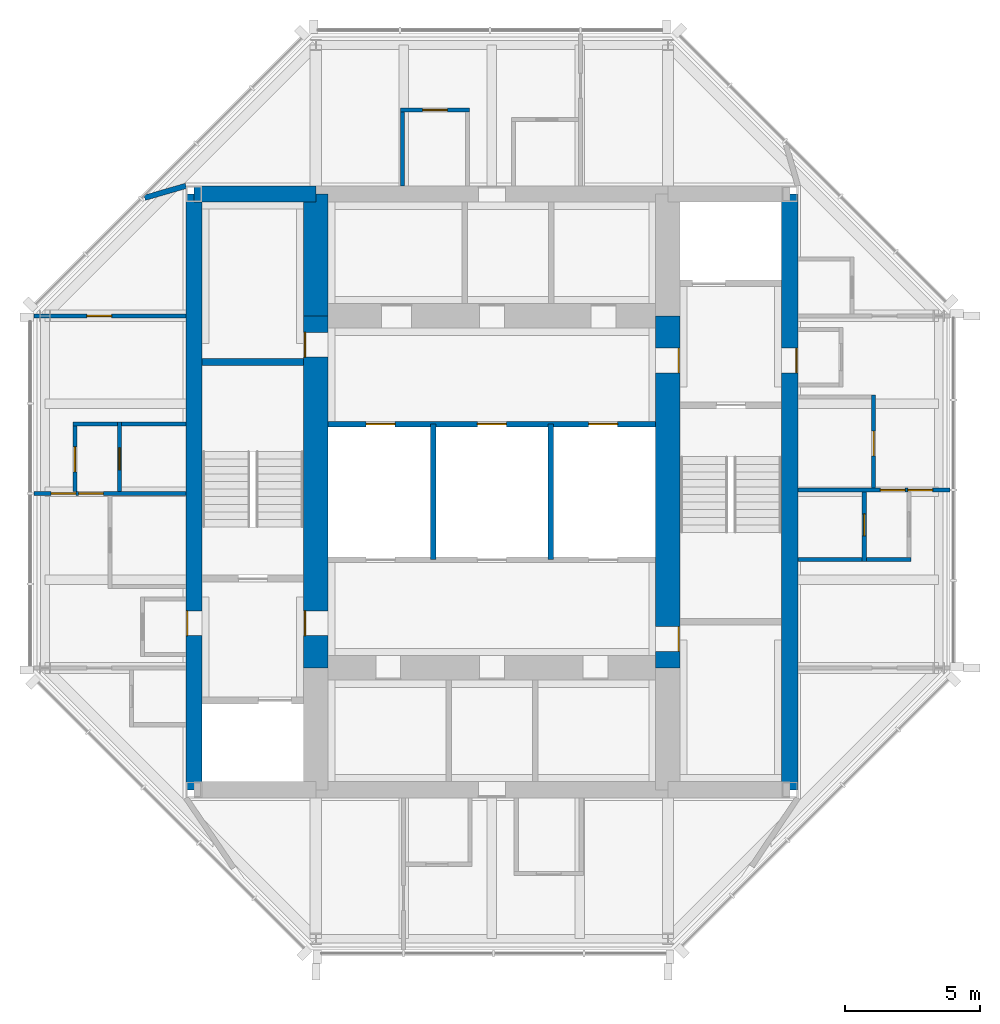
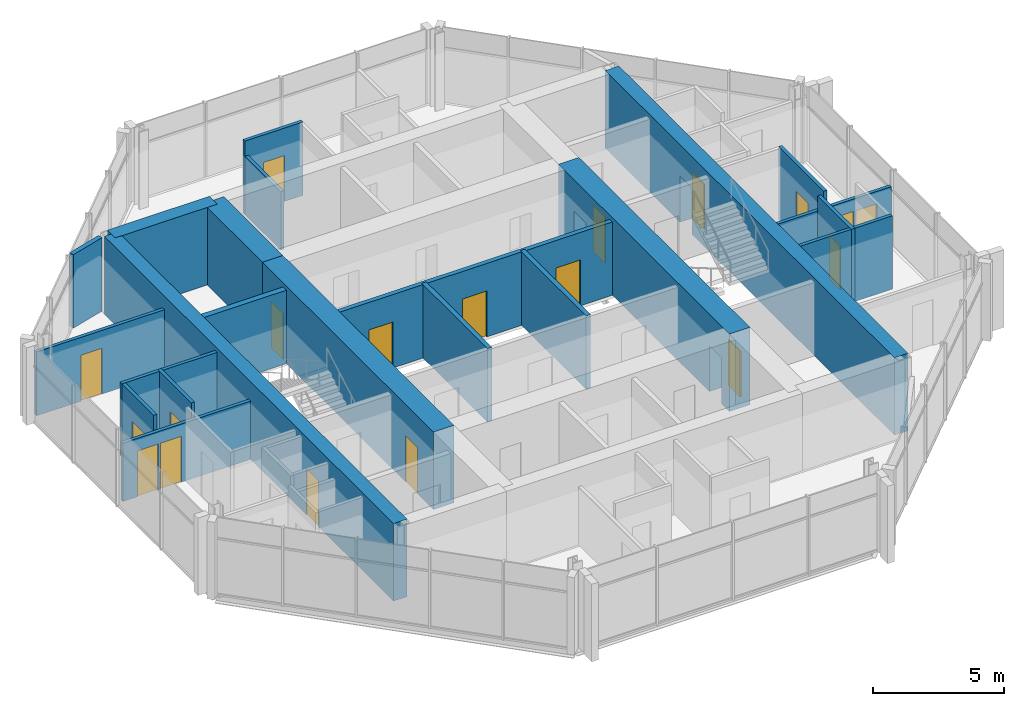
# One storey, part 6 of 9: 24 walls, 19 doors, 19 openings.
"""IFC4 building model written with IfcOpenShell, lengths in metres."""

from ifc_helpers import new_model, si_unit, direction, frame, frame_2d, origin, place, context, subcontext, project, spatial, rectangle, extrude, material, layer, layer_set, type_object, element, fill, save


model = new_model("IFC4")

# Units and contexts
model_context = context("Model", 3, precision=1e-05, world=origin(), true_north=direction((0.0, 1.0)))
body_context = subcontext(model_context, "Body", "Model", "MODEL_VIEW")
ifc_project = project(units=[si_unit("LENGTHUNIT", "METRE"), si_unit("AREAUNIT", "SQUARE_METRE"), si_unit("VOLUMEUNIT", "CUBIC_METRE"), si_unit("PLANEANGLEUNIT", "RADIAN"), si_unit("MASSUNIT", "GRAM", prefix="KILO")], contexts=[model_context])

# Site, building, storey
site_placement = place(None, origin())
site = spatial("IfcSite", under=ifc_project, at=site_placement, CompositionType="ELEMENT")
building_placement = place(site_placement, origin())
building = spatial("IfcBuilding", under=site, at=building_placement, Name="Trevanion Tower", CompositionType="ELEMENT")
storey_placement = place(building_placement, frame((0.0, 0.0, 281.199951171875)))
storey = spatial("IfcBuildingStorey", under=building, at=storey_placement, Name="L69", CompositionType="ELEMENT", Elevation=281.199951171875)

# Wall, opening, door
ifc_material_1 = material(Name="Concrete 10,000 psi", Category="concrete")
ifc_layer_1 = layer(ifc_material_1, 0.60009765625)
ifc_layer_set_1 = layer_set([ifc_layer_1], Name="CW1 core wall 600")
wall_type_1 = type_object("IfcWallType", Name="CW1 core wall 600", PredefinedType="SHEAR", material=ifc_layer_set_1)
wall_1_placement = place(storey_placement, frame((11.0, -11.0, 0.0), z_axis=(0.0, 0.0, 1.0), x_axis=(0.0, 1.0, 0.0)))
wall_1 = element("IfcWall", 1, at=wall_1_placement, inside=storey, type_object=wall_type_1, Name="CW1 CE L69", PredefinedType="SHEAR", context=body_context, shape_type="SweptSolid", body=[
    extrude(rectangle(XDim=22.0, YDim=0.60009765625, at=frame_2d((11.0, 0.0))), origin(), (0.0, 0.0, 1.0), 3.60009765625),
])
opening_1_placement = place(wall_1_placement, frame((15.392578125, 0.0, 0.0)))
opening_1 = element("IfcOpeningElement", 2, at=opening_1_placement, cuts=wall_1, Name="Opening 69-001", PredefinedType="OPENING", context=body_context, shape_type="SweptSolid", body=[
    extrude(rectangle(XDim=0.9150390625, YDim=2.134033203125, at=frame_2d((0.45751953125, 1.06689453125))), frame((0.0, 0.31005859375, 0.0), z_axis=(0.0, -1.0, 0.0), x_axis=(1.0, 0.0, 0.0)), (0.0, 0.0, 1.0), 0.6201171875),
])
ifc_material_2 = material(Name="Hollow metal, fire rated", Category="steel")
door_type_1 = type_object("IfcDoorType", Name="D3 fire lift lobby door", OperationType="SINGLE_SWING_RIGHT", PredefinedType="DOOR", material=ifc_material_2)
door_1_placement = place(opening_1_placement, origin())
door_1 = element("IfcDoor", 3, at=door_1_placement, inside=storey, type_object=door_type_1, Name="Door 69-001", OperationType="SINGLE_SWING_RIGHT", OverallHeight=2.134033203125, OverallWidth=0.9150390625, PredefinedType="DOOR", context=body_context, shape_type="SweptSolid", body=[
    extrude(rectangle(XDim=0.9150390625, YDim=2.134033203125, at=frame_2d((0.45751953125, 1.06689453125))), frame((0.0, -0.22509765625, 0.0), z_axis=(0.0, -1.0, 0.0), x_axis=(1.0, 0.0, 0.0)), (0.0, 0.0, 1.0), 0.050048828125),
])
fill(opening_1, door_1)

wall_2_placement = place(storey_placement, frame((-11.0, 11.0, 0.0), z_axis=(0.0, 0.0, 1.0), x_axis=(0.0, -1.0, 0.0)))
wall_2 = element("IfcWall", 4, at=wall_2_placement, inside=storey, type_object=wall_type_1, Name="CW1 CW L69", PredefinedType="SHEAR", context=body_context, shape_type="SweptSolid", body=[
    extrude(rectangle(XDim=22.0, YDim=0.60009765625, at=frame_2d((11.0, 0.0))), origin(), (0.0, 0.0, 1.0), 3.60009765625),
])
opening_2_placement = place(wall_2_placement, frame((15.392578125, 0.0, 0.0)))
opening_2 = element("IfcOpeningElement", 5, at=opening_2_placement, cuts=wall_2, Name="Opening 69-002", PredefinedType="OPENING", context=body_context, shape_type="SweptSolid", body=[
    extrude(rectangle(XDim=0.9150390625, YDim=2.134033203125, at=frame_2d((0.45751953125, 1.06689453125))), frame((0.0, 0.31005859375, 0.0), z_axis=(0.0, -1.0, 0.0), x_axis=(1.0, 0.0, 0.0)), (0.0, 0.0, 1.0), 0.6201171875),
])
door_2_placement = place(opening_2_placement, origin())
door_2 = element("IfcDoor", 6, at=door_2_placement, inside=storey, type_object=door_type_1, Name="Door 69-002", OperationType="SINGLE_SWING_RIGHT", OverallHeight=2.134033203125, OverallWidth=0.9150390625, PredefinedType="DOOR", context=body_context, shape_type="SweptSolid", body=[
    extrude(rectangle(XDim=0.9150390625, YDim=2.134033203125, at=frame_2d((0.45751953125, 1.06689453125))), frame((0.0, -0.22509765625, 0.0), z_axis=(0.0, -1.0, 0.0), x_axis=(1.0, 0.0, 0.0)), (0.0, 0.0, 1.0), 0.050048828125),
])
fill(opening_2, door_2)

# Wall
wall_3_placement = place(storey_placement, frame((-6.5, 11.0, 0.0), z_axis=(0.0, 0.0, 1.0), x_axis=(-1.0, 0.0, 0.0)))
element("IfcWall", 7, at=wall_3_placement, inside=storey, type_object=wall_type_1, Name="CW1 CN3 L69", PredefinedType="SHEAR", context=body_context, shape_type="SweptSolid", body=[
    extrude(rectangle(XDim=4.5, YDim=0.60009765625, at=frame_2d((2.25, 0.0))), origin(), (0.0, 0.0, 1.0), 3.60009765625),
])

# Wall, openings, doors
ifc_material_3 = material(Name="Concrete 10,000 psi", Category="concrete")
ifc_layer_2 = layer(ifc_material_3, 0.89990234375)
ifc_layer_set_2 = layer_set([ifc_layer_2], Name="CW2 core wall 900")
wall_type_2 = type_object("IfcWallType", Name="CW2 core wall 900", PredefinedType="SHEAR", material=ifc_layer_set_2)
wall_4_placement = place(storey_placement, frame((6.5, -6.5, 0.0), z_axis=(0.0, 0.0, 1.0), x_axis=(0.0, 1.0, 0.0)))
wall_4 = element("IfcWall", 8, at=wall_4_placement, inside=storey, type_object=wall_type_2, Name="CW2 RE2 L69", PredefinedType="SHEAR", context=body_context, shape_type="SweptSolid", body=[
    extrude(rectangle(XDim=13.0, YDim=0.89990234375, at=frame_2d((6.5, 0.0))), origin(), (0.0, 0.0, 1.0), 3.60009765625),
])
opening_3_placement = place(wall_4_placement, frame((10.892578125, 0.0, 0.0)))
opening_3 = element("IfcOpeningElement", 9, at=opening_3_placement, cuts=wall_4, Name="Opening 69-003", PredefinedType="OPENING", context=body_context, shape_type="SweptSolid", body=[
    extrude(rectangle(XDim=0.9150390625, YDim=2.134033203125, at=frame_2d((0.45751953125, 1.06689453125))), frame((0.0, 0.4599609375, 0.0), z_axis=(0.0, -1.0, 0.0), x_axis=(1.0, 0.0, 0.0)), (0.0, 0.0, 1.0), 0.919921875),
])
opening_4_placement = place(wall_4_placement, frame((0.610107421875, 0.0, 0.0)))
opening_4 = element("IfcOpeningElement", 10, at=opening_4_placement, cuts=wall_4, Name="Opening 69-009", PredefinedType="OPENING", context=body_context, shape_type="SweptSolid", body=[
    extrude(rectangle(XDim=0.9150390625, YDim=2.134033203125, at=frame_2d((0.45751953125, 1.06689453125))), frame((0.0, 0.4599609375, 0.0), z_axis=(0.0, -1.0, 0.0), x_axis=(1.0, 0.0, 0.0)), (0.0, 0.0, 1.0), 0.919921875),
])
door_3_placement = place(opening_3_placement, origin())
door_3 = element("IfcDoor", 11, at=door_3_placement, inside=storey, type_object=door_type_1, Name="Door 69-003", OperationType="SINGLE_SWING_RIGHT", OverallHeight=2.134033203125, OverallWidth=0.9150390625, PredefinedType="DOOR", context=body_context, shape_type="SweptSolid", body=[
    extrude(rectangle(XDim=0.9150390625, YDim=2.134033203125, at=frame_2d((0.45751953125, 1.06689453125))), frame((0.0, -0.375, 0.0), z_axis=(0.0, -1.0, 0.0), x_axis=(1.0, 0.0, 0.0)), (0.0, 0.0, 1.0), 0.050048828125),
])
fill(opening_3, door_3)
ifc_material_4 = material(Name="Hollow metal, fire rated", Category="steel")
door_type_2 = type_object("IfcDoorType", Name="D5 service room door", OperationType="SINGLE_SWING_RIGHT", PredefinedType="DOOR", material=ifc_material_4)
door_4_placement = place(opening_4_placement, origin())
door_4 = element("IfcDoor", 12, at=door_4_placement, inside=storey, type_object=door_type_2, Name="Door 69-009", OperationType="SINGLE_SWING_RIGHT", OverallHeight=2.134033203125, OverallWidth=0.9150390625, PredefinedType="DOOR", context=body_context, shape_type="SweptSolid", body=[
    extrude(rectangle(XDim=0.9150390625, YDim=2.134033203125, at=frame_2d((0.45751953125, 1.06689453125))), frame((0.0, -0.375, 0.0), z_axis=(0.0, -1.0, 0.0), x_axis=(1.0, 0.0, 0.0)), (0.0, 0.0, 1.0), 0.050048828125),
])
fill(opening_4, door_4)

# Wall
wall_5_placement = place(storey_placement, frame((-6.5, 11.0, 0.0), z_axis=(0.0, 0.0, 1.0), x_axis=(0.0, -1.0, 0.0)))
element("IfcWall", 13, at=wall_5_placement, inside=storey, type_object=wall_type_2, Name="CW2 RW1 L69", PredefinedType="SHEAR", context=body_context, shape_type="SweptSolid", body=[
    extrude(rectangle(XDim=4.5, YDim=0.89990234375, at=frame_2d((2.25, 0.0))), origin(), (0.0, 0.0, 1.0), 3.60009765625),
])

# Wall, openings, doors
wall_6_placement = place(storey_placement, frame((-6.5, 6.5, 0.0), z_axis=(0.0, 0.0, 1.0), x_axis=(0.0, -1.0, 0.0)))
wall_6 = element("IfcWall", 14, at=wall_6_placement, inside=storey, type_object=wall_type_2, Name="CW2 RW2 L69", PredefinedType="SHEAR", context=body_context, shape_type="SweptSolid", body=[
    extrude(rectangle(XDim=13.0, YDim=0.89990234375, at=frame_2d((6.5, 0.0))), origin(), (0.0, 0.0, 1.0), 3.60009765625),
])
opening_5_placement = place(wall_6_placement, frame((10.892578125, 0.0, 0.0)))
opening_5 = element("IfcOpeningElement", 15, at=opening_5_placement, cuts=wall_6, Name="Opening 69-004", PredefinedType="OPENING", context=body_context, shape_type="SweptSolid", body=[
    extrude(rectangle(XDim=0.9150390625, YDim=2.134033203125, at=frame_2d((0.45751953125, 1.06689453125))), frame((0.0, 0.4599609375, 0.0), z_axis=(0.0, -1.0, 0.0), x_axis=(1.0, 0.0, 0.0)), (0.0, 0.0, 1.0), 0.919921875),
])
opening_6_placement = place(wall_6_placement, frame((0.610107421875, 0.0, 0.0)))
opening_6 = element("IfcOpeningElement", 16, at=opening_6_placement, cuts=wall_6, Name="Opening 69-010", PredefinedType="OPENING", context=body_context, shape_type="SweptSolid", body=[
    extrude(rectangle(XDim=0.9150390625, YDim=2.134033203125, at=frame_2d((0.45751953125, 1.06689453125))), frame((0.0, 0.4599609375, 0.0), z_axis=(0.0, -1.0, 0.0), x_axis=(1.0, 0.0, 0.0)), (0.0, 0.0, 1.0), 0.919921875),
])
door_5_placement = place(opening_5_placement, origin())
door_5 = element("IfcDoor", 17, at=door_5_placement, inside=storey, type_object=door_type_1, Name="Door 69-004", OperationType="SINGLE_SWING_RIGHT", OverallHeight=2.134033203125, OverallWidth=0.9150390625, PredefinedType="DOOR", context=body_context, shape_type="SweptSolid", body=[
    extrude(rectangle(XDim=0.9150390625, YDim=2.134033203125, at=frame_2d((0.45751953125, 1.06689453125))), frame((0.0, -0.375, 0.0), z_axis=(0.0, -1.0, 0.0), x_axis=(1.0, 0.0, 0.0)), (0.0, 0.0, 1.0), 0.050048828125),
])
fill(opening_5, door_5)
door_6_placement = place(opening_6_placement, origin())
door_6 = element("IfcDoor", 18, at=door_6_placement, inside=storey, type_object=door_type_2, Name="Door 69-010", OperationType="SINGLE_SWING_RIGHT", OverallHeight=2.134033203125, OverallWidth=0.9150390625, PredefinedType="DOOR", context=body_context, shape_type="SweptSolid", body=[
    extrude(rectangle(XDim=0.9150390625, YDim=2.134033203125, at=frame_2d((0.45751953125, 1.06689453125))), frame((0.0, -0.375, 0.0), z_axis=(0.0, -1.0, 0.0), x_axis=(1.0, 0.0, 0.0)), (0.0, 0.0, 1.0), 0.050048828125),
])
fill(opening_6, door_6)

ifc_material_5 = material(Name="Gypsum board on steel studs", Category="steel")
ifc_layer_3 = layer(ifc_material_5, 0.14990234375)
ifc_layer_set_3 = layer_set([ifc_layer_3], Name="PT1 partition 150")
wall_type_3 = type_object("IfcWallType", Name="PT1 partition 150", PredefinedType="PARTITIONING", material=ifc_layer_set_3)
wall_7_placement = place(storey_placement, frame((11.300048828125, 0.06494140625, 0.0), z_axis=(0.0, 0.0, 1.0), x_axis=(1.0, 0.0, 0.0)))
wall_7 = element("IfcWall", 19, at=wall_7_placement, inside=storey, type_object=wall_type_3, Name="PT1 L69 REC1", PredefinedType="PARTITIONING", context=body_context, shape_type="SweptSolid", body=[
    extrude(rectangle(XDim=5.614990234375, YDim=0.14990234375, at=frame_2d((2.8076171875, 0.0))), origin(), (0.0, 0.0, 1.0), 2.708984375),
])
opening_7_placement = place(wall_7_placement, frame((3.04248046875, 0.0, 0.0)))
opening_7 = element("IfcOpeningElement", 20, at=opening_7_placement, cuts=wall_7, Name="Opening 69-029", PredefinedType="OPENING", context=body_context, shape_type="SweptSolid", body=[
    extrude(rectangle(XDim=0.9150390625, YDim=2.134033203125, at=frame_2d((0.45751953125, 1.06689453125))), frame((0.0, 0.0849609375, 0.0), z_axis=(0.0, -1.0, 0.0), x_axis=(1.0, 0.0, 0.0)), (0.0, 0.0, 1.0), 0.169921875),
])
opening_8_placement = place(wall_7_placement, frame((4.0576171875, 0.0, 0.0)))
opening_8 = element("IfcOpeningElement", 21, at=opening_8_placement, cuts=wall_7, Name="Opening 69-032", PredefinedType="OPENING", context=body_context, shape_type="SweptSolid", body=[
    extrude(rectangle(XDim=0.9150390625, YDim=2.134033203125, at=frame_2d((0.45751953125, 1.06689453125))), frame((0.0, 0.0849609375, 0.0), z_axis=(0.0, -1.0, 0.0), x_axis=(1.0, 0.0, 0.0)), (0.0, 0.0, 1.0), 0.169921875),
])
ifc_material_6 = material(Name="Timber veneer, solid core", Category="wood")
door_type_3 = type_object("IfcDoorType", Name="D1 office and meeting room door", OperationType="SINGLE_SWING_LEFT", PredefinedType="DOOR", material=ifc_material_6)
door_7_placement = place(opening_7_placement, origin())
door_7 = element("IfcDoor", 22, at=door_7_placement, inside=storey, type_object=door_type_3, Name="Door 69-029", OperationType="SINGLE_SWING_LEFT", OverallHeight=2.134033203125, OverallWidth=0.9150390625, PredefinedType="DOOR", context=body_context, shape_type="SweptSolid", body=[
    extrude(rectangle(XDim=0.9150390625, YDim=2.134033203125, at=frame_2d((0.45751953125, 1.06689453125))), frame((0.0, 0.02490234375, 0.0), z_axis=(0.0, -1.0, 0.0), x_axis=(1.0, 0.0, 0.0)), (0.0, 0.0, 1.0), 0.050048828125),
])
fill(opening_7, door_7)
door_8_placement = place(opening_8_placement, origin())
door_8 = element("IfcDoor", 23, at=door_8_placement, inside=storey, type_object=door_type_3, Name="Door 69-032", OperationType="SINGLE_SWING_LEFT", OverallHeight=2.134033203125, OverallWidth=0.9150390625, PredefinedType="DOOR", context=body_context, shape_type="SweptSolid", body=[
    extrude(rectangle(XDim=0.9150390625, YDim=2.134033203125, at=frame_2d((0.45751953125, 1.06689453125))), frame((0.0, 0.02490234375, 0.0), z_axis=(0.0, -1.0, 0.0), x_axis=(1.0, 0.0, 0.0)), (0.0, 0.0, 1.0), 0.050048828125),
])
fill(opening_8, door_8)

# Wall, opening, door
wall_8_placement = place(storey_placement, frame((14.10009765625, 0.139892578125, 0.0), z_axis=(0.0, 0.0, 1.0), x_axis=(0.0, 1.0, 0.0)))
wall_8 = element("IfcWall", 24, at=wall_8_placement, inside=storey, type_object=wall_type_3, Name="PT1 L69 REKF", PredefinedType="PARTITIONING", context=body_context, shape_type="SweptSolid", body=[
    extrude(rectangle(XDim=3.43505859375, YDim=0.14990234375, at=frame_2d((1.717529296875, 0.0))), origin(), (0.0, 0.0, 1.0), 3.41015625),
])
opening_9_placement = place(wall_8_placement, frame((1.18505859375, 0.0, 0.0)))
opening_9 = element("IfcOpeningElement", 25, at=opening_9_placement, cuts=wall_8, Name="Opening 69-026", PredefinedType="OPENING", context=body_context, shape_type="SweptSolid", body=[
    extrude(rectangle(XDim=0.9150390625, YDim=2.134033203125, at=frame_2d((0.45751953125, 1.06689453125))), frame((0.0, 0.0849609375, 0.0), z_axis=(0.0, -1.0, 0.0), x_axis=(1.0, 0.0, 0.0)), (0.0, 0.0, 1.0), 0.169921875),
])
door_9_placement = place(opening_9_placement, origin())
door_9 = element("IfcDoor", 26, at=door_9_placement, inside=storey, type_object=door_type_3, Name="Door 69-026", OperationType="SINGLE_SWING_LEFT", OverallHeight=2.134033203125, OverallWidth=0.9150390625, PredefinedType="DOOR", context=body_context, shape_type="SweptSolid", body=[
    extrude(rectangle(XDim=0.9150390625, YDim=2.134033203125, at=frame_2d((0.45751953125, 1.06689453125))), frame((0.0, 0.02490234375, 0.0), z_axis=(0.0, -1.0, 0.0), x_axis=(1.0, 0.0, 0.0)), (0.0, 0.0, 1.0), 0.050048828125),
])
fill(opening_9, door_9)

wall_9_placement = place(storey_placement, frame((13.75, -2.574951171875, 0.0), z_axis=(0.0, 0.0, 1.0), x_axis=(0.0, 1.0, 0.0)))
wall_9 = element("IfcWall", 27, at=wall_9_placement, inside=storey, type_object=wall_type_3, Name="PT1 L69 RETF", PredefinedType="PARTITIONING", context=body_context, shape_type="SweptSolid", body=[
    extrude(rectangle(XDim=2.56494140625, YDim=0.14990234375, at=frame_2d((1.282470703125, 0.0))), origin(), (0.0, 0.0, 1.0), 3.41015625),
])
opening_10_placement = place(wall_9_placement, frame((0.950927734375, 0.0, 0.0)))
opening_10 = element("IfcOpeningElement", 28, at=opening_10_placement, cuts=wall_9, Name="Opening 69-028", PredefinedType="OPENING", context=body_context, shape_type="SweptSolid", body=[
    extrude(rectangle(XDim=0.81298828125, YDim=2.031982421875, at=frame_2d((0.406494140625, 1.01611328125))), frame((0.0, 0.0849609375, 0.0), z_axis=(0.0, -1.0, 0.0), x_axis=(1.0, 0.0, 0.0)), (0.0, 0.0, 1.0), 0.169921875),
])
ifc_material_7 = material(Name="Timber veneer", Category="wood")
door_type_4 = type_object("IfcDoorType", Name="D14 residence bathroom door", OperationType="SINGLE_SWING_LEFT", PredefinedType="DOOR", material=ifc_material_7)
door_10_placement = place(opening_10_placement, origin())
door_10 = element("IfcDoor", 29, at=door_10_placement, inside=storey, type_object=door_type_4, Name="Door 69-028", OperationType="SINGLE_SWING_LEFT", OverallHeight=2.031982421875, OverallWidth=0.81298828125, PredefinedType="DOOR", context=body_context, shape_type="SweptSolid", body=[
    extrude(rectangle(XDim=0.81298828125, YDim=2.031982421875, at=frame_2d((0.406494140625, 1.01611328125))), frame((0.0, 0.02490234375, 0.0), z_axis=(0.0, -1.0, 0.0), x_axis=(1.0, 0.0, 0.0)), (0.0, 0.0, 1.0), 0.050048828125),
])
fill(opening_10, door_10)

# Walls
wall_10_placement = place(storey_placement, frame((11.300048828125, -2.5, 0.0), z_axis=(0.0, 0.0, 1.0), x_axis=(1.0, 0.0, 0.0)))
element("IfcWall", 30, at=wall_10_placement, inside=storey, type_object=wall_type_3, Name="PT1 L69 RETA", PredefinedType="PARTITIONING", context=body_context, shape_type="SweptSolid", body=[
    extrude(rectangle(XDim=2.375, YDim=0.14990234375, at=frame_2d((1.1875, 0.0))), origin(), (0.0, 0.0, 1.0), 3.41015625),
])
wall_11_placement = place(storey_placement, frame((13.824951171875, -2.5, 0.0), z_axis=(0.0, 0.0, 1.0), x_axis=(1.0, 0.0, 0.0)))
element("IfcWall", 31, at=wall_11_placement, inside=storey, type_object=wall_type_3, Name="PT1 L69 REHY", PredefinedType="PARTITIONING", context=body_context, shape_type="SweptSolid", body=[
    extrude(rectangle(XDim=1.650146484375, YDim=0.14990234375, at=frame_2d((0.8251953125, 0.0))), origin(), (0.0, 0.0, 1.0), 3.41015625),
])

# Wall, opening, door
wall_12_placement = place(storey_placement, frame((-0.824951171875, 14.10009765625, 0.0), z_axis=(0.0, 0.0, 1.0), x_axis=(-1.0, 0.0, 0.0)))
wall_12 = element("IfcWall", 32, at=wall_12_placement, inside=storey, type_object=wall_type_3, Name="PT1 L69 RNKF", PredefinedType="PARTITIONING", context=body_context, shape_type="SweptSolid", body=[
    extrude(rectangle(XDim=2.550048828125, YDim=0.14990234375, at=frame_2d((1.27490234375, 0.0))), origin(), (0.0, 0.0, 1.0), 3.41015625),
])
opening_11_placement = place(wall_12_placement, frame((0.8173828125, 0.0, 0.0)))
opening_11 = element("IfcOpeningElement", 33, at=opening_11_placement, cuts=wall_12, Name="Opening 69-034", PredefinedType="OPENING", context=body_context, shape_type="SweptSolid", body=[
    extrude(rectangle(XDim=0.9150390625, YDim=2.134033203125, at=frame_2d((0.45751953125, 1.06689453125))), frame((0.0, 0.0849609375, 0.0), z_axis=(0.0, -1.0, 0.0), x_axis=(1.0, 0.0, 0.0)), (0.0, 0.0, 1.0), 0.169921875),
])
door_11_placement = place(opening_11_placement, origin())
door_11 = element("IfcDoor", 34, at=door_11_placement, inside=storey, type_object=door_type_3, Name="Door 69-034", OperationType="SINGLE_SWING_LEFT", OverallHeight=2.134033203125, OverallWidth=0.9150390625, PredefinedType="DOOR", context=body_context, shape_type="SweptSolid", body=[
    extrude(rectangle(XDim=0.9150390625, YDim=2.134033203125, at=frame_2d((0.45751953125, 1.06689453125))), frame((0.0, 0.02490234375, 0.0), z_axis=(0.0, -1.0, 0.0), x_axis=(1.0, 0.0, 0.0)), (0.0, 0.0, 1.0), 0.050048828125),
])
fill(opening_11, door_11)

# Wall
wall_13_placement = place(storey_placement, frame((-3.300048828125, 11.300048828125, 0.0), z_axis=(0.0, 0.0, 1.0), x_axis=(0.0, 1.0, 0.0)))
element("IfcWall", 35, at=wall_13_placement, inside=storey, type_object=wall_type_3, Name="PT1 L69 RNKB", PredefinedType="PARTITIONING", context=body_context, shape_type="SweptSolid", body=[
    extrude(rectangle(XDim=2.724853515625, YDim=0.14990234375, at=frame_2d((1.3623046875, 0.0))), origin(), (0.0, 0.0, 1.0), 2.708984375),
])

# Wall, opening, door
wall_14_placement = place(storey_placement, frame((-11.300048828125, 6.5, 0.0), z_axis=(0.0, 0.0, 1.0), x_axis=(-1.0, 0.0, 0.0)))
wall_14 = element("IfcWall", 36, at=wall_14_placement, inside=storey, type_object=wall_type_3, Name="PT1 L69 RWC0", PredefinedType="PARTITIONING", context=body_context, shape_type="SweptSolid", body=[
    extrude(rectangle(XDim=5.614990234375, YDim=0.14990234375, at=frame_2d((2.8076171875, 0.0))), origin(), (0.0, 0.0, 1.0), 2.965576171875),
])
opening_12_placement = place(wall_14_placement, frame((2.742431640625, 0.0, 0.0)))
opening_12 = element("IfcOpeningElement", 37, at=opening_12_placement, cuts=wall_14, Name="Opening 69-043", PredefinedType="OPENING", context=body_context, shape_type="SweptSolid", body=[
    extrude(rectangle(XDim=0.9150390625, YDim=2.134033203125, at=frame_2d((0.45751953125, 1.06689453125))), frame((0.0, 0.0849609375, 0.0), z_axis=(0.0, -1.0, 0.0), x_axis=(1.0, 0.0, 0.0)), (0.0, 0.0, 1.0), 0.169921875),
])
door_12_placement = place(opening_12_placement, origin())
door_12 = element("IfcDoor", 38, at=door_12_placement, inside=storey, type_object=door_type_3, Name="Door 69-043", OperationType="SINGLE_SWING_LEFT", OverallHeight=2.134033203125, OverallWidth=0.9150390625, PredefinedType="DOOR", context=body_context, shape_type="SweptSolid", body=[
    extrude(rectangle(XDim=0.9150390625, YDim=2.134033203125, at=frame_2d((0.45751953125, 1.06689453125))), frame((0.0, 0.02490234375, 0.0), z_axis=(0.0, -1.0, 0.0), x_axis=(1.0, 0.0, 0.0)), (0.0, 0.0, 1.0), 0.050048828125),
])
fill(opening_12, door_12)

# Wall, openings, doors
wall_15_placement = place(storey_placement, frame((-11.300048828125, -0.06494140625, 0.0), z_axis=(0.0, 0.0, 1.0), x_axis=(-1.0, 0.0, 0.0)))
wall_15 = element("IfcWall", 39, at=wall_15_placement, inside=storey, type_object=wall_type_3, Name="PT1 L69 RWC1", PredefinedType="PARTITIONING", context=body_context, shape_type="SweptSolid", body=[
    extrude(rectangle(XDim=5.614990234375, YDim=0.14990234375, at=frame_2d((2.8076171875, 0.0))), origin(), (0.0, 0.0, 1.0), 2.708984375),
])
opening_13_placement = place(wall_15_placement, frame((3.04248046875, 0.0, 0.0)))
opening_13 = element("IfcOpeningElement", 40, at=opening_13_placement, cuts=wall_15, Name="Opening 69-041", PredefinedType="OPENING", context=body_context, shape_type="SweptSolid", body=[
    extrude(rectangle(XDim=0.9150390625, YDim=2.134033203125, at=frame_2d((0.45751953125, 1.06689453125))), frame((0.0, 0.0849609375, 0.0), z_axis=(0.0, -1.0, 0.0), x_axis=(1.0, 0.0, 0.0)), (0.0, 0.0, 1.0), 0.169921875),
])
opening_14_placement = place(wall_15_placement, frame((4.0576171875, 0.0, 0.0)))
opening_14 = element("IfcOpeningElement", 41, at=opening_14_placement, cuts=wall_15, Name="Opening 69-044", PredefinedType="OPENING", context=body_context, shape_type="SweptSolid", body=[
    extrude(rectangle(XDim=0.9150390625, YDim=2.134033203125, at=frame_2d((0.45751953125, 1.06689453125))), frame((0.0, 0.0849609375, 0.0), z_axis=(0.0, -1.0, 0.0), x_axis=(1.0, 0.0, 0.0)), (0.0, 0.0, 1.0), 0.169921875),
])
door_13_placement = place(opening_13_placement, origin())
door_13 = element("IfcDoor", 42, at=door_13_placement, inside=storey, type_object=door_type_3, Name="Door 69-041", OperationType="SINGLE_SWING_LEFT", OverallHeight=2.134033203125, OverallWidth=0.9150390625, PredefinedType="DOOR", context=body_context, shape_type="SweptSolid", body=[
    extrude(rectangle(XDim=0.9150390625, YDim=2.134033203125, at=frame_2d((0.45751953125, 1.06689453125))), frame((0.0, 0.02490234375, 0.0), z_axis=(0.0, -1.0, 0.0), x_axis=(1.0, 0.0, 0.0)), (0.0, 0.0, 1.0), 0.050048828125),
])
fill(opening_13, door_13)
door_14_placement = place(opening_14_placement, origin())
door_14 = element("IfcDoor", 43, at=door_14_placement, inside=storey, type_object=door_type_3, Name="Door 69-044", OperationType="SINGLE_SWING_LEFT", OverallHeight=2.134033203125, OverallWidth=0.9150390625, PredefinedType="DOOR", context=body_context, shape_type="SweptSolid", body=[
    extrude(rectangle(XDim=0.9150390625, YDim=2.134033203125, at=frame_2d((0.45751953125, 1.06689453125))), frame((0.0, 0.02490234375, 0.0), z_axis=(0.0, -1.0, 0.0), x_axis=(1.0, 0.0, 0.0)), (0.0, 0.0, 1.0), 0.050048828125),
])
fill(opening_14, door_14)

# Wall, opening, door
wall_16_placement = place(storey_placement, frame((-13.75, 2.574951171875, 0.0), z_axis=(0.0, 0.0, 1.0), x_axis=(0.0, -1.0, 0.0)))
wall_16 = element("IfcWall", 44, at=wall_16_placement, inside=storey, type_object=wall_type_3, Name="PT1 L69 RWTF", PredefinedType="PARTITIONING", context=body_context, shape_type="SweptSolid", body=[
    extrude(rectangle(XDim=2.56494140625, YDim=0.14990234375, at=frame_2d((1.282470703125, 0.0))), origin(), (0.0, 0.0, 1.0), 3.41015625),
])
opening_15_placement = place(wall_16_placement, frame((0.950927734375, 0.0, 0.0)))
opening_15 = element("IfcOpeningElement", 45, at=opening_15_placement, cuts=wall_16, Name="Opening 69-040", PredefinedType="OPENING", context=body_context, shape_type="SweptSolid", body=[
    extrude(rectangle(XDim=0.81298828125, YDim=2.031982421875, at=frame_2d((0.406494140625, 1.01611328125))), frame((0.0, 0.0849609375, 0.0), z_axis=(0.0, -1.0, 0.0), x_axis=(1.0, 0.0, 0.0)), (0.0, 0.0, 1.0), 0.169921875),
])
door_15_placement = place(opening_15_placement, origin())
door_15 = element("IfcDoor", 46, at=door_15_placement, inside=storey, type_object=door_type_4, Name="Door 69-040", OperationType="SINGLE_SWING_LEFT", OverallHeight=2.031982421875, OverallWidth=0.81298828125, PredefinedType="DOOR", context=body_context, shape_type="SweptSolid", body=[
    extrude(rectangle(XDim=0.81298828125, YDim=2.031982421875, at=frame_2d((0.406494140625, 1.01611328125))), frame((0.0, 0.02490234375, 0.0), z_axis=(0.0, -1.0, 0.0), x_axis=(1.0, 0.0, 0.0)), (0.0, 0.0, 1.0), 0.050048828125),
])
fill(opening_15, door_15)

# Wall
wall_17_placement = place(storey_placement, frame((-11.300048828125, 2.5, 0.0), z_axis=(0.0, 0.0, 1.0), x_axis=(-1.0, 0.0, 0.0)))
element("IfcWall", 47, at=wall_17_placement, inside=storey, type_object=wall_type_3, Name="PT1 L69 RWTA", PredefinedType="PARTITIONING", context=body_context, shape_type="SweptSolid", body=[
    extrude(rectangle(XDim=2.375, YDim=0.14990234375, at=frame_2d((1.1875, 0.0))), origin(), (0.0, 0.0, 1.0), 3.41015625),
])

# Wall, opening, door
wall_18_placement = place(storey_placement, frame((-15.39990234375, 0.010009765625, 0.0), z_axis=(0.0, 0.0, 1.0), x_axis=(0.0, 1.0, 0.0)))
wall_18 = element("IfcWall", 48, at=wall_18_placement, inside=storey, type_object=wall_type_3, Name="PT1 L69 RWHX", PredefinedType="PARTITIONING", context=body_context, shape_type="SweptSolid", body=[
    extrude(rectangle(XDim=2.56494140625, YDim=0.14990234375, at=frame_2d((1.282470703125, 0.0))), origin(), (0.0, 0.0, 1.0), 3.41015625),
])
opening_16_placement = place(wall_18_placement, frame((0.732421875, 0.0, 0.0)))
opening_16 = element("IfcOpeningElement", 49, at=opening_16_placement, cuts=wall_18, Name="Opening 69-042", PredefinedType="OPENING", context=body_context, shape_type="SweptSolid", body=[
    extrude(rectangle(XDim=0.9150390625, YDim=2.134033203125, at=frame_2d((0.45751953125, 1.06689453125))), frame((0.0, 0.0849609375, 0.0), z_axis=(0.0, -1.0, 0.0), x_axis=(1.0, 0.0, 0.0)), (0.0, 0.0, 1.0), 0.169921875),
])
door_16_placement = place(opening_16_placement, origin())
door_16 = element("IfcDoor", 50, at=door_16_placement, inside=storey, type_object=door_type_3, Name="Door 69-042", OperationType="SINGLE_SWING_LEFT", OverallHeight=2.134033203125, OverallWidth=0.9150390625, PredefinedType="DOOR", context=body_context, shape_type="SweptSolid", body=[
    extrude(rectangle(XDim=0.9150390625, YDim=2.134033203125, at=frame_2d((0.45751953125, 1.06689453125))), frame((0.0, 0.02490234375, 0.0), z_axis=(0.0, -1.0, 0.0), x_axis=(1.0, 0.0, 0.0)), (0.0, 0.0, 1.0), 0.050048828125),
])
fill(opening_16, door_16)

# Wall
wall_19_placement = place(storey_placement, frame((-13.824951171875, 2.5, 0.0), z_axis=(0.0, 0.0, 1.0), x_axis=(-1.0, 0.0, 0.0)))
element("IfcWall", 51, at=wall_19_placement, inside=storey, type_object=wall_type_3, Name="PT1 L69 RWHY", PredefinedType="PARTITIONING", context=body_context, shape_type="SweptSolid", body=[
    extrude(rectangle(XDim=1.650146484375, YDim=0.14990234375, at=frame_2d((0.8251953125, 0.0))), origin(), (0.0, 0.0, 1.0), 3.41015625),
])

# Wall, openings, doors
ifc_material_8 = material(Name="Concrete masonry, grouted", Category="masonry")
ifc_layer_4 = layer(ifc_material_8, 0.199951171875)
ifc_layer_set_4 = layer_set([ifc_layer_4], Name="PT2 partition 200 1 HR")
wall_type_4 = type_object("IfcWallType", Name="PT2 partition 200 1 HR", PredefinedType="PARTITIONING", material=ifc_layer_set_4)
wall_20_placement = place(storey_placement, frame((-6.050048828125, 2.5, 0.0), z_axis=(0.0, 0.0, 1.0), x_axis=(1.0, 0.0, 0.0)))
wall_20 = element("IfcWall", 52, at=wall_20_placement, inside=storey, type_object=wall_type_4, Name="PT2 L69 CP1", PredefinedType="PARTITIONING", context=body_context, shape_type="SweptSolid", body=[
    extrude(rectangle(XDim=12.10009765625, YDim=0.199951171875, at=frame_2d((6.050048828125, 0.0))), origin(), (0.0, 0.0, 1.0), 3.41015625),
])
opening_17_placement = place(wall_20_placement, frame((1.408203125, 0.0, 0.0)))
opening_17 = element("IfcOpeningElement", 53, at=opening_17_placement, cuts=wall_20, Name="Opening 69-011", PredefinedType="OPENING", context=body_context, shape_type="SweptSolid", body=[
    extrude(rectangle(XDim=1.06689453125, YDim=2.134033203125, at=frame_2d((0.533447265625, 1.06689453125))), frame((0.0, 0.10986328125, 0.0), z_axis=(0.0, -1.0, 0.0), x_axis=(1.0, 0.0, 0.0)), (0.0, 0.0, 1.0), 0.219970703125),
])
opening_18_placement = place(wall_20_placement, frame((5.5166015625, 0.0, 0.0)))
opening_18 = element("IfcOpeningElement", 54, at=opening_18_placement, cuts=wall_20, Name="Opening 69-013", PredefinedType="OPENING", context=body_context, shape_type="SweptSolid", body=[
    extrude(rectangle(XDim=1.06689453125, YDim=2.134033203125, at=frame_2d((0.533447265625, 1.06689453125))), frame((0.0, 0.10986328125, 0.0), z_axis=(0.0, -1.0, 0.0), x_axis=(1.0, 0.0, 0.0)), (0.0, 0.0, 1.0), 0.219970703125),
])
opening_19_placement = place(wall_20_placement, frame((9.624755859375, 0.0, 0.0)))
opening_19 = element("IfcOpeningElement", 55, at=opening_19_placement, cuts=wall_20, Name="Opening 69-015", PredefinedType="OPENING", context=body_context, shape_type="SweptSolid", body=[
    extrude(rectangle(XDim=1.06689453125, YDim=2.134033203125, at=frame_2d((0.533447265625, 1.06689453125))), frame((0.0, 0.10986328125, 0.0), z_axis=(0.0, -1.0, 0.0), x_axis=(1.0, 0.0, 0.0)), (0.0, 0.0, 1.0), 0.219970703125),
])
ifc_material_9 = material(Name="Stainless steel, fire rated", Category="steel")
door_type_5 = type_object("IfcDoorType", Name="LD1 lift landing door", OperationType="SLIDING_TO_LEFT", PredefinedType="DOOR", material=ifc_material_9)
door_17_placement = place(opening_17_placement, origin())
door_17 = element("IfcDoor", 56, at=door_17_placement, inside=storey, type_object=door_type_5, Name="Door 69-011", OperationType="SLIDING_TO_LEFT", OverallHeight=2.134033203125, OverallWidth=1.06689453125, PredefinedType="DOOR", context=body_context, shape_type="SweptSolid", body=[
    extrude(rectangle(XDim=1.06689453125, YDim=2.134033203125, at=frame_2d((0.533447265625, 1.06689453125))), frame((0.0, 0.02490234375, 0.0), z_axis=(0.0, -1.0, 0.0), x_axis=(1.0, 0.0, 0.0)), (0.0, 0.0, 1.0), 0.050048828125),
])
fill(opening_17, door_17)
door_18_placement = place(opening_18_placement, origin())
door_18 = element("IfcDoor", 57, at=door_18_placement, inside=storey, type_object=door_type_5, Name="Door 69-013", OperationType="SLIDING_TO_LEFT", OverallHeight=2.134033203125, OverallWidth=1.06689453125, PredefinedType="DOOR", context=body_context, shape_type="SweptSolid", body=[
    extrude(rectangle(XDim=1.06689453125, YDim=2.134033203125, at=frame_2d((0.533447265625, 1.06689453125))), frame((0.0, 0.02490234375, 0.0), z_axis=(0.0, -1.0, 0.0), x_axis=(1.0, 0.0, 0.0)), (0.0, 0.0, 1.0), 0.050048828125),
])
fill(opening_18, door_18)
door_19_placement = place(opening_19_placement, origin())
door_19 = element("IfcDoor", 58, at=door_19_placement, inside=storey, type_object=door_type_5, Name="Door 69-015", OperationType="SLIDING_TO_LEFT", OverallHeight=2.134033203125, OverallWidth=1.06689453125, PredefinedType="DOOR", context=body_context, shape_type="SweptSolid", body=[
    extrude(rectangle(XDim=1.06689453125, YDim=2.134033203125, at=frame_2d((0.533447265625, 1.06689453125))), frame((0.0, 0.02490234375, 0.0), z_axis=(0.0, -1.0, 0.0), x_axis=(1.0, 0.0, 0.0)), (0.0, 0.0, 1.0), 0.050048828125),
])
fill(opening_19, door_19)

# Walls
wall_21_placement = place(storey_placement, frame((-11.300048828125, 11.300048828125, 0.0), z_axis=(0.0, 0.0, 1.0), x_axis=(-0.960552344683, -0.278099250491, 0.0)))
element("IfcWall", 59, at=wall_21_placement, inside=storey, type_object=wall_type_4, Name="PT2 L69 UB1", PredefinedType="PARTITIONING", context=body_context, shape_type="SweptSolid", body=[
    extrude(rectangle(XDim=1.583740234375, YDim=0.199951171875, at=frame_2d((0.7919921875, 0.0))), origin(), (0.0, 0.0, 1.0), 3.41015625),
])
ifc_material_10 = material(Name="Concrete masonry, grouted", Category="masonry")
ifc_layer_5 = layer(ifc_material_10, 0.199951171875)
ifc_layer_set_5 = layer_set([ifc_layer_5], Name="PT2 partition 200 2 HR")
wall_type_5 = type_object("IfcWallType", Name="PT2 partition 200 2 HR", PredefinedType="PARTITIONING", material=ifc_layer_set_5)
for number, where, z_axis, x_axis, name in (
    (60, (-2.166748046875, -2.5, 0.0), (0.0, 0.0, 1.0), (0.0, 1.0, 0.0), "PT2 L69 MS0"),
    (61, (2.166748046875, -2.5, 0.0), (0.0, 0.0, 1.0), (0.0, 1.0, 0.0), "PT2 L69 MS1"),
):
    element("IfcWall", number, at=place(storey_placement, frame(where, z_axis=z_axis, x_axis=x_axis)), inside=storey, type_object=wall_type_5, Name=name, PredefinedType="PARTITIONING", context=body_context, shape_type="SweptSolid", body=[
        extrude(rectangle(XDim=5.0, YDim=0.199951171875, at=frame_2d((2.5, 0.0))), origin(), (0.0, 0.0, 1.0), 3.41015625),
    ])
ifc_material_11 = material(Name="Reinforced masonry, fully grouted", Category="masonry")
ifc_layer_6 = layer(ifc_material_11, 0.25)
ifc_layer_set_6 = layer_set([ifc_layer_6], Name="SW1 stair shaft wall 250")
wall_type_6 = type_object("IfcWallType", Name="SW1 stair shaft wall 250", PredefinedType="SOLIDWALL", material=ifc_layer_set_6)
wall_22_placement = place(storey_placement, frame((-6.949951171875, 4.800048828125, 0.0), z_axis=(0.0, 0.0, 1.0), x_axis=(-1.0, 0.0, 0.0)))
element("IfcWall", 62, at=wall_22_placement, inside=storey, type_object=wall_type_6, Name="SW1 L69 WP1", PredefinedType="SOLIDWALL", context=body_context, shape_type="SweptSolid", body=[
    extrude(rectangle(XDim=3.75, YDim=0.25, at=frame_2d((1.875, 0.0))), origin(), (0.0, 0.0, 1.0), 3.41015625),
])

save(model, "model.ifc")
